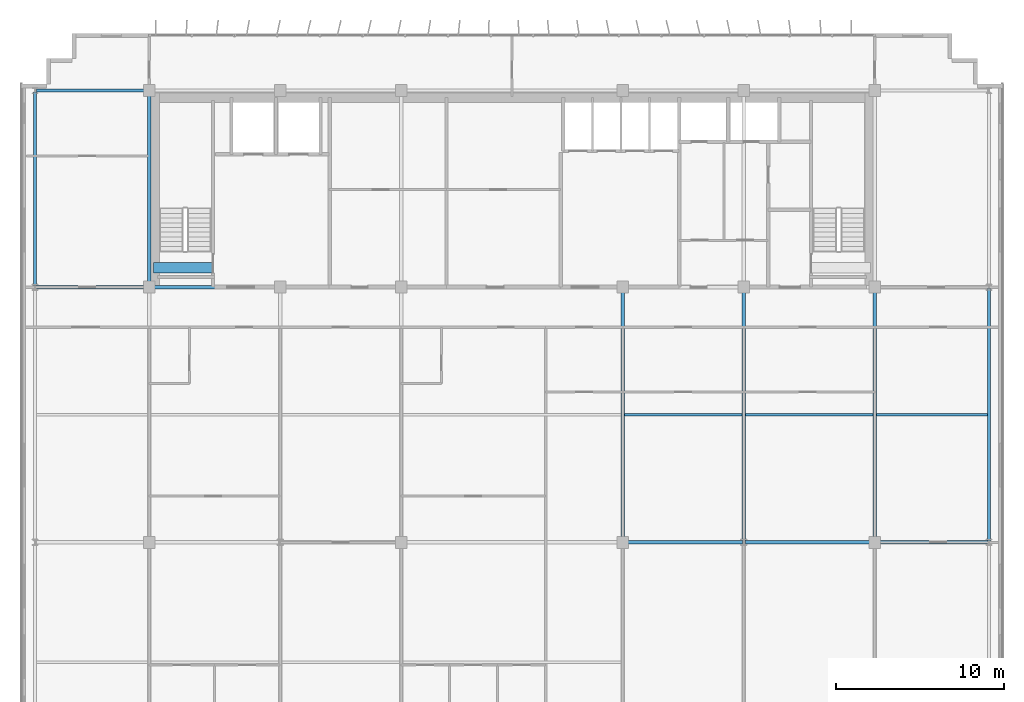
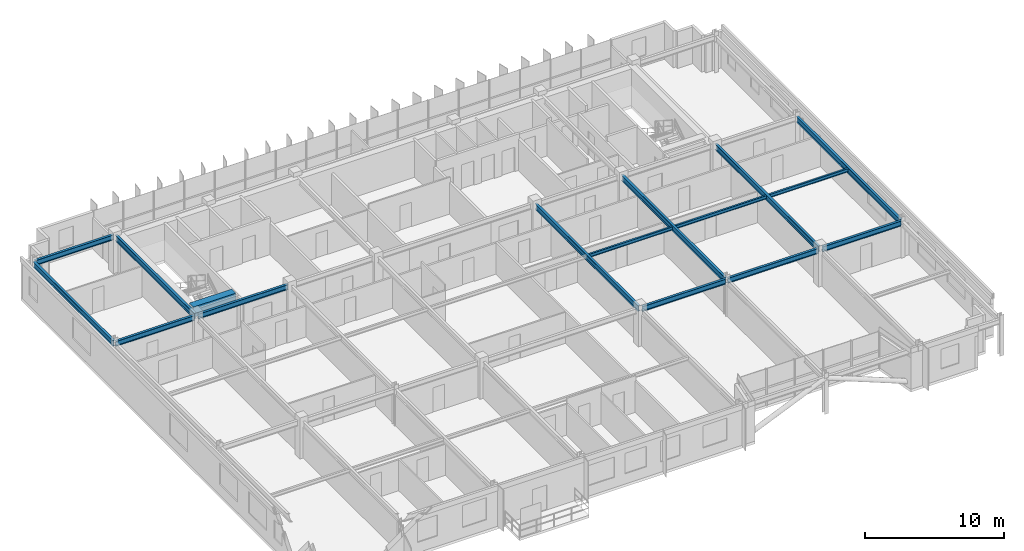
# One storey, part 9 of 27: 16 beams.
"""IFC4 building model written with IfcOpenShell, lengths in metres."""

from ifc_helpers import new_model, si_unit, direction, frame, origin, origin_2d, place, context, subcontext, project, spatial, rectangle, i_section, extrude, source, transform, mapped, material, material_profile, profile_set, type_object, element, save


model = new_model("IFC4")

# Units and contexts
model_context = context("Model", 3, precision=1e-05, world=origin(), true_north=direction((0.0, 1.0)))
body_context = subcontext(model_context, "Body", "Model", "MODEL_VIEW")
ifc_project = project(units=[si_unit("LENGTHUNIT", "METRE"), si_unit("AREAUNIT", "SQUARE_METRE"), si_unit("VOLUMEUNIT", "CUBIC_METRE"), si_unit("PLANEANGLEUNIT", "RADIAN"), si_unit("MASSUNIT", "GRAM", prefix="KILO")], contexts=[model_context])

# Site, building, storey
site_placement = place(None, origin())
site = spatial("IfcSite", under=ifc_project, at=site_placement, CompositionType="ELEMENT")
building_placement = place(site_placement, origin())
building = spatial("IfcBuilding", under=site, at=building_placement, Name="Trelvane Seafront Commons", CompositionType="ELEMENT")
storey_placement = place(building_placement, frame((0.0, 0.0, 237.300048828125)))
storey = spatial("IfcBuildingStorey", under=building, at=storey_placement, Name="L62", CompositionType="ELEMENT", Elevation=237.300048828125)

# Beams
ifc_material_1 = material(Name="Concrete C60/75", Category="concrete")
ifc_material_profile_1 = material_profile(ifc_material_1, rectangle(XDim=0.60009765625, YDim=0.89990234375, at=origin_2d()), Name="RC-600x900")
ifc_profile_set_1 = profile_set([ifc_material_profile_1], Name="Concrete C60/75")
beam_type_1 = type_object("IfcBeamType", Name="STR-LNT-RC600x900", PredefinedType="LINTEL", material=ifc_profile_set_1)
shared_shape_1 = source(origin(), body_context, "Body", "SweptSolid", [
    extrude(rectangle(XDim=0.60009765625, YDim=0.89990234375, at=origin_2d()), origin(), (0.0, 0.0, 1.0), 3.5498046875),
])
beam_1_placement = place(storey_placement, frame((15.85009765625, 34.550048828125, 2.77001953125), z_axis=(1.0, 0.0, 0.0), x_axis=(0.0, 1.0, 0.0)))
element("IfcBeam", 1, at=beam_1_placement, inside=storey, type_object=beam_type_1, Name="L62 Core Coupling Lintel Beam CB-65", PredefinedType="LINTEL", context=body_context, shape_type="MappedRepresentation", body=[
    mapped(shared_shape_1, transform((0.0, 0.0, 0.0), x_axis=(1.0, 0.0, 0.0), y_axis=(0.0, 1.0, 0.0), z_axis=(0.0, 0.0, 1.0), scale=1.0)),
])
ifc_material_2 = material(Name="Steel SM355 (S355)", Category="steel")
ifc_material_profile_2 = material_profile(ifc_material_2, i_section(OverallWidth=0.199951171875, OverallDepth=0.5, WebThickness=0.010009765625, FlangeThickness=0.01611328125, at=origin_2d()), Name="H-500x200x10x16")
ifc_profile_set_2 = profile_set([ifc_material_profile_2], Name="Steel SM355 (S355)")
beam_type_2 = type_object("IfcBeamType", Name="STR-BM-H500", PredefinedType="BEAM", material=ifc_profile_set_2)
shared_shape_2 = source(origin(), body_context, "Body", "SweptSolid", [
    extrude(i_section(OverallWidth=0.199951171875, OverallDepth=0.5, WebThickness=0.010009765625, FlangeThickness=0.01611328125, at=origin_2d()), origin(), (0.0, 0.0, 1.0), 14.89990234375),
])
for number, where, z_axis, x_axis, name in (
    (2, (43.800048828125, 18.35009765625, 2.969970703125), (0.0, 1.0, 0.0), (-1.0, 0.0, 0.0), "L62 Primary Girder G-42"),
    (3, (58.800048828125, 18.35009765625, 2.969970703125), (0.0, 1.0, 0.0), (-1.0, 0.0, 0.0), "L62 Primary Girder G-48"),
):
    element("IfcBeam", number, at=place(storey_placement, frame(where, z_axis=z_axis, x_axis=x_axis)), inside=storey, type_object=beam_type_2, Name=name, PredefinedType="BEAM", context=body_context, shape_type="MappedRepresentation", body=[
        mapped(shared_shape_2, transform((0.0, 0.0, 0.0), x_axis=(1.0, 0.0, 0.0), y_axis=(0.0, 1.0, 0.0), z_axis=(0.0, 0.0, 1.0), scale=1.0)),
    ])
shared_shape_3 = source(origin(), body_context, "Body", "SweptSolid", [
    extrude(i_section(OverallWidth=0.199951171875, OverallDepth=0.5, WebThickness=0.010009765625, FlangeThickness=0.01611328125, at=origin_2d()), origin(), (0.0, 0.0, 1.0), 11.39990234375),
])
beam_2_placement = place(storey_placement, frame((15.60009765625, 33.550048828125, 2.969970703125), z_axis=(0.0, 1.0, 0.0), x_axis=(-1.0, 0.0, 0.0)))
element("IfcBeam", 4, at=beam_2_placement, inside=storey, type_object=beam_type_2, Name="L62 Primary Girder G-34", PredefinedType="BEAM", context=body_context, shape_type="MappedRepresentation", body=[
    mapped(shared_shape_3, transform((0.0, 0.0, 0.0), x_axis=(1.0, 0.0, 0.0), y_axis=(0.0, 1.0, 0.0), z_axis=(0.0, 0.0, 1.0), scale=1.0)),
])
ifc_material_profile_3 = material_profile(ifc_material_2, i_section(OverallWidth=0.199951171875, OverallDepth=0.449951171875, WebThickness=0.009033203125, FlangeThickness=0.013916015625, at=origin_2d()), Name="H-450x200x9x14")
ifc_profile_set_3 = profile_set([ifc_material_profile_3], Name="Steel SM355 (S355)")
beam_type_3 = type_object("IfcBeamType", Name="STR-SPD-H450", PredefinedType="SPANDREL", material=ifc_profile_set_3)
shared_shape_4 = source(origin(), body_context, "Body", "SweptSolid", [
    extrude(i_section(OverallWidth=0.199951171875, OverallDepth=0.449951171875, WebThickness=0.009033203125, FlangeThickness=0.013916015625, at=origin_2d()), origin(), (0.0, 0.0, 1.0), 6.5625),
])
for number, where, z_axis, x_axis, name in (
    (5, (58.949951171875, 18.199951171875, 2.994873046875), (1.0, 0.0, 0.0), (0.0, 1.0, 0.0), "L62 Primary Girder G-14"),
    (6, (8.887451171875, 33.39990234375, 2.994873046875), (1.0, 0.0, 0.0), (0.0, 1.0, 0.0), "L62 Primary Girder G-15"),
    (7, (8.887451171875, 45.10009765625, 2.994873046875), (1.0, 0.0, 0.0), (0.0, 1.0, 0.0), "L62 Primary Girder G-22"),
):
    element("IfcBeam", number, at=place(storey_placement, frame(where, z_axis=z_axis, x_axis=x_axis)), inside=storey, type_object=beam_type_3, Name=name, PredefinedType="SPANDREL", context=body_context, shape_type="MappedRepresentation", body=[
        mapped(shared_shape_4, transform((0.0, 0.0, 0.0), x_axis=(1.0, 0.0, 0.0), y_axis=(0.0, 1.0, 0.0), z_axis=(0.0, 0.0, 1.0), scale=1.0)),
    ])
shared_shape_5 = source(origin(), body_context, "Body", "SweptSolid", [
    extrude(i_section(OverallWidth=0.199951171875, OverallDepth=0.449951171875, WebThickness=0.009033203125, FlangeThickness=0.013916015625, at=origin_2d()), origin(), (0.0, 0.0, 1.0), 7.5625),
])
beam_3_placement = place(storey_placement, frame((51.08740234375, 18.199951171875, 2.994873046875), z_axis=(1.0, 0.0, 0.0), x_axis=(0.0, 1.0, 0.0)))
element("IfcBeam", 8, at=beam_3_placement, inside=storey, type_object=beam_type_3, Name="L62 Primary Girder G-13", PredefinedType="SPANDREL", context=body_context, shape_type="MappedRepresentation", body=[
    mapped(shared_shape_5, transform((0.0, 0.0, 0.0), x_axis=(1.0, 0.0, 0.0), y_axis=(0.0, 1.0, 0.0), z_axis=(0.0, 0.0, 1.0), scale=1.0)),
])
shared_shape_6 = source(origin(), body_context, "Body", "SweptSolid", [
    extrude(i_section(OverallWidth=0.199951171875, OverallDepth=0.449951171875, WebThickness=0.009033203125, FlangeThickness=0.013916015625, at=origin_2d()), origin(), (0.0, 0.0, 1.0), 6.962646484375),
])
beam_4_placement = place(storey_placement, frame((43.949951171875, 18.199951171875, 2.994873046875), z_axis=(1.0, 0.0, 0.0), x_axis=(0.0, 1.0, 0.0)))
element("IfcBeam", 9, at=beam_4_placement, inside=storey, type_object=beam_type_3, Name="L62 Primary Girder G-12", PredefinedType="SPANDREL", context=body_context, shape_type="MappedRepresentation", body=[
    mapped(shared_shape_6, transform((0.0, 0.0, 0.0), x_axis=(1.0, 0.0, 0.0), y_axis=(0.0, 1.0, 0.0), z_axis=(0.0, 0.0, 1.0), scale=1.0)),
])
shared_shape_7 = source(origin(), body_context, "Body", "SweptSolid", [
    extrude(i_section(OverallWidth=0.199951171875, OverallDepth=0.449951171875, WebThickness=0.009033203125, FlangeThickness=0.013916015625, at=origin_2d()), origin(), (0.0, 0.0, 1.0), 7.5),
])
beam_5_placement = place(storey_placement, frame((15.75, 33.39990234375, 2.994873046875), z_axis=(1.0, 0.0, 0.0), x_axis=(0.0, 1.0, 0.0)))
element("IfcBeam", 10, at=beam_5_placement, inside=storey, type_object=beam_type_3, Name="L62 Primary Girder G-16", PredefinedType="SPANDREL", context=body_context, shape_type="MappedRepresentation", body=[
    mapped(shared_shape_7, transform((0.0, 0.0, 0.0), x_axis=(1.0, 0.0, 0.0), y_axis=(0.0, 1.0, 0.0), z_axis=(0.0, 0.0, 1.0), scale=1.0)),
])
shared_shape_8 = source(origin(), body_context, "Body", "SweptSolid", [
    extrude(i_section(OverallWidth=0.199951171875, OverallDepth=0.5, WebThickness=0.010009765625, FlangeThickness=0.01611328125, at=origin_2d()), origin(), (0.0, 0.0, 1.0), 15.02490234375),
])
beam_6_placement = place(storey_placement, frame((65.60009765625, 18.28759765625, 2.969970703125), z_axis=(0.0, 1.0, 0.0), x_axis=(-1.0, 0.0, 0.0)))
element("IfcBeam", 11, at=beam_6_placement, inside=storey, type_object=beam_type_2, Name="L62 Primary Girder G-51", PredefinedType="BEAM", context=body_context, shape_type="MappedRepresentation", body=[
    mapped(shared_shape_8, transform((0.0, 0.0, 0.0), x_axis=(1.0, 0.0, 0.0), y_axis=(0.0, 1.0, 0.0), z_axis=(0.0, 0.0, 1.0), scale=1.0)),
])
shared_shape_9 = source(origin(), body_context, "Body", "SweptSolid", [
    extrude(i_section(OverallWidth=0.199951171875, OverallDepth=0.5, WebThickness=0.010009765625, FlangeThickness=0.01611328125, at=origin_2d()), origin(), (0.0, 0.0, 1.0), 11.52490234375),
])
beam_7_placement = place(storey_placement, frame((8.800048828125, 33.487548828125, 2.969970703125), z_axis=(0.0, 1.0, 0.0), x_axis=(-1.0, 0.0, 0.0)))
element("IfcBeam", 12, at=beam_7_placement, inside=storey, type_object=beam_type_2, Name="L62 Primary Girder G-31", PredefinedType="BEAM", context=body_context, shape_type="MappedRepresentation", body=[
    mapped(shared_shape_9, transform((0.0, 0.0, 0.0), x_axis=(1.0, 0.0, 0.0), y_axis=(0.0, 1.0, 0.0), z_axis=(0.0, 0.0, 1.0), scale=1.0)),
])
shared_shape_10 = source(origin(), body_context, "Body", "SweptSolid", [
    extrude(i_section(OverallWidth=0.199951171875, OverallDepth=0.5, WebThickness=0.010009765625, FlangeThickness=0.01611328125, at=origin_2d()), origin(), (0.0, 0.0, 1.0), 14.96240234375),
])
beam_8_placement = place(storey_placement, frame((51.0, 18.28759765625, 2.969970703125), z_axis=(0.0, 1.0, 0.0), x_axis=(-1.0, 0.0, 0.0)))
element("IfcBeam", 13, at=beam_8_placement, inside=storey, type_object=beam_type_2, Name="L62 Primary Girder G-45", PredefinedType="BEAM", context=body_context, shape_type="MappedRepresentation", body=[
    mapped(shared_shape_10, transform((0.0, 0.0, 0.0), x_axis=(1.0, 0.0, 0.0), y_axis=(0.0, 1.0, 0.0), z_axis=(0.0, 0.0, 1.0), scale=1.0)),
])
ifc_material_profile_4 = material_profile(ifc_material_2, i_section(OverallWidth=0.14990234375, OverallDepth=0.300048828125, WebThickness=0.006591796875, FlangeThickness=0.009033203125, at=origin_2d()), Name="H-300x150x6.5x9")
ifc_profile_set_4 = profile_set([ifc_material_profile_4], Name="Steel SM355 (S355)")
beam_type_4 = type_object("IfcBeamType", Name="STR-JST-H300", PredefinedType="JOIST", material=ifc_profile_set_4)
shared_shape_11 = source(origin(), body_context, "Body", "SweptSolid", [
    extrude(i_section(OverallWidth=0.14990234375, OverallDepth=0.300048828125, WebThickness=0.006591796875, FlangeThickness=0.009033203125, at=origin_2d()), origin(), (0.0, 0.0, 1.0), 6.60009765625),
])
beam_9_placement = place(storey_placement, frame((58.89990234375, 25.800048828125, 3.070068359375), z_axis=(1.0, 0.0, 0.0), x_axis=(0.0, 1.0, 0.0)))
element("IfcBeam", 14, at=beam_9_placement, inside=storey, type_object=beam_type_4, Name="L62 Secondary Floor Joist B-64", PredefinedType="JOIST", context=body_context, shape_type="MappedRepresentation", body=[
    mapped(shared_shape_11, transform((0.0, 0.0, 0.0), x_axis=(1.0, 0.0, 0.0), y_axis=(0.0, 1.0, 0.0), z_axis=(0.0, 0.0, 1.0), scale=1.0)),
])
shared_shape_12 = source(origin(), body_context, "Body", "SweptSolid", [
    extrude(i_section(OverallWidth=0.14990234375, OverallDepth=0.300048828125, WebThickness=0.006591796875, FlangeThickness=0.009033203125, at=origin_2d()), origin(), (0.0, 0.0, 1.0), 7.0),
])
beam_10_placement = place(storey_placement, frame((43.89990234375, 25.800048828125, 3.070068359375), z_axis=(1.0, 0.0, 0.0), x_axis=(0.0, 1.0, 0.0)))
element("IfcBeam", 15, at=beam_10_placement, inside=storey, type_object=beam_type_4, Name="L62 Secondary Floor Joist B-62", PredefinedType="JOIST", context=body_context, shape_type="MappedRepresentation", body=[
    mapped(shared_shape_12, transform((0.0, 0.0, 0.0), x_axis=(1.0, 0.0, 0.0), y_axis=(0.0, 1.0, 0.0), z_axis=(0.0, 0.0, 1.0), scale=1.0)),
])
shared_shape_13 = source(origin(), body_context, "Body", "SweptSolid", [
    extrude(i_section(OverallWidth=0.14990234375, OverallDepth=0.300048828125, WebThickness=0.006591796875, FlangeThickness=0.009033203125, at=origin_2d()), origin(), (0.0, 0.0, 1.0), 7.599853515625),
])
beam_11_placement = place(storey_placement, frame((51.10009765625, 25.800048828125, 3.070068359375), z_axis=(1.0, 0.0, 0.0), x_axis=(0.0, 1.0, 0.0)))
element("IfcBeam", 16, at=beam_11_placement, inside=storey, type_object=beam_type_4, Name="L62 Secondary Floor Joist B-63", PredefinedType="JOIST", context=body_context, shape_type="MappedRepresentation", body=[
    mapped(shared_shape_13, transform((0.0, 0.0, 0.0), x_axis=(1.0, 0.0, 0.0), y_axis=(0.0, 1.0, 0.0), z_axis=(0.0, 0.0, 1.0), scale=1.0)),
])

save(model, "model.ifc")
